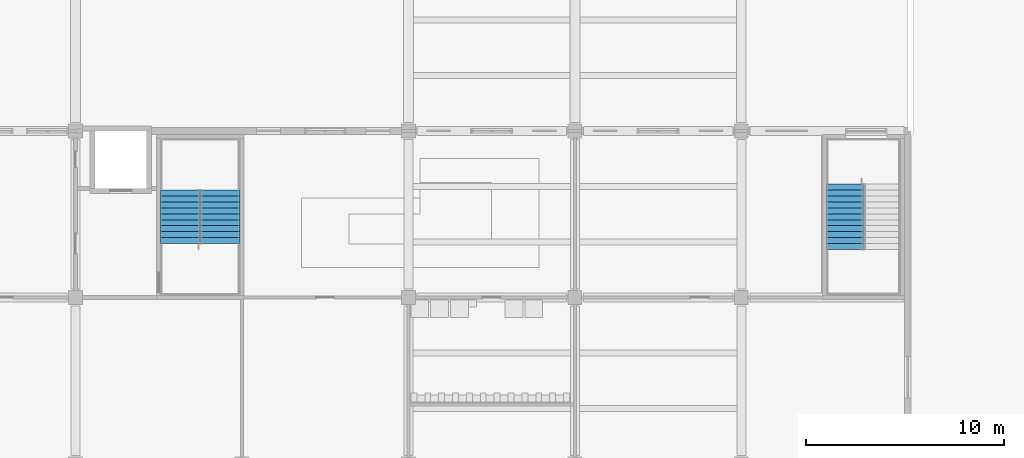
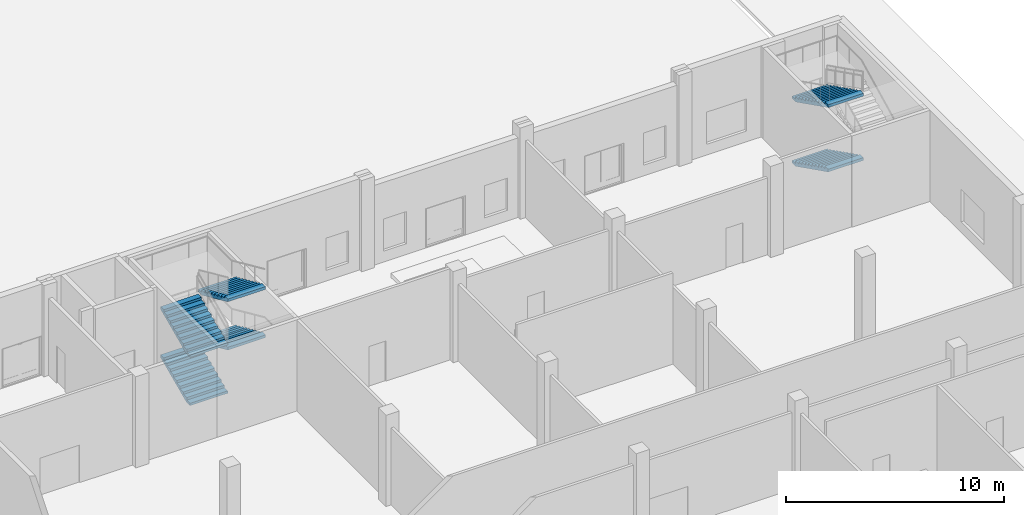
# One storey, part 57 of 74: 6 stair flights, 2 elements without a shape of their own.
"""IFC4 building model written with IfcOpenShell, lengths in metres."""

from ifc_helpers import new_model, si_unit, direction, frame, origin, place, context, subcontext, project, spatial, faceted_brep, material, type_object, element, aggregate, save


model = new_model("IFC4")

# Units and contexts
model_context = context("Model", 3, precision=1e-05, world=origin(), true_north=direction((0.0, 1.0)))
body_context = subcontext(model_context, "Body", "Model", "MODEL_VIEW")
ifc_project = project(units=[si_unit("LENGTHUNIT", "METRE"), si_unit("AREAUNIT", "SQUARE_METRE"), si_unit("VOLUMEUNIT", "CUBIC_METRE"), si_unit("PLANEANGLEUNIT", "RADIAN"), si_unit("MASSUNIT", "GRAM", prefix="KILO")], contexts=[model_context])

# Site, building, storey
site_placement = place(None, origin())
site = spatial("IfcSite", under=ifc_project, at=site_placement, CompositionType="ELEMENT")
building_placement = place(site_placement, origin())
building = spatial("IfcBuilding", under=site, at=building_placement, Name="Rulbaag Community and Learning Centre", CompositionType="ELEMENT")
storey_placement = place(building_placement, origin())
storey = spatial("IfcBuildingStorey", under=building, at=storey_placement, Name="L00", CompositionType="ELEMENT", Elevation=0.0)

# Stair, stair flights
ifc_material = material(Name="Concrete M40", Category="concrete")
stair_type_1 = type_object("IfcStairType", Name="ST-1862 STAIR 1862 WIDE", PredefinedType="HALF_TURN_STAIR", material=ifc_material)
stair_1_placement = place(storey_placement, origin())
stair_1 = element("IfcStair", 1, at=stair_1_placement, inside=storey, type_object=stair_type_1, Name="Stair ST-H4 L00", PredefinedType="HALF_TURN_STAIR")
stair_flight_type_1 = type_object("IfcStairFlightType", Name="FL-1862 FLIGHT 1862 WIDE Concrete M40", PredefinedType="STRAIGHT", material=ifc_material)
stair_flight_1_placement = place(storey_placement, frame((164.831298828125, 47.71240234375, 0.0), z_axis=(0.0, 0.0, 1.0), x_axis=(0.0, -1.0, 0.0)))
stair_flight_1 = element("IfcStairFlight", 2, at=stair_flight_1_placement, type_object=stair_flight_type_1, Name="ST-H4 flight 1", NumberOfRisers=12, NumberOfTreads=11, PredefinedType="STRAIGHT", RiserHeight=0.15, TreadLength=0.3, context=body_context, shape_type="Brep", body=[
    faceted_brep([(0.312744140625, -0.93115234375, 0.0), (3.300048828125, -0.93115234375, 1.49365234375), (3.300048828125, -0.93115234375, 1.64990234375), (3.0, -0.93115234375, 1.64990234375), (3.0, -0.93115234375, 1.5), (2.699951171875, -0.93115234375, 1.5), (2.699951171875, -0.93115234375, 1.35009765625), (2.39990234375, -0.93115234375, 1.35009765625), (2.39990234375, -0.93115234375, 1.199951171875), (2.10009765625, -0.93115234375, 1.199951171875), (2.10009765625, -0.93115234375, 1.050048828125), (1.800048828125, -0.93115234375, 1.050048828125), (1.800048828125, -0.93115234375, 0.89990234375), (1.5, -0.93115234375, 0.89990234375), (1.5, -0.93115234375, 0.75), (1.199951171875, -0.93115234375, 0.75), (1.199951171875, -0.93115234375, 0.60009765625), (0.89990234375, -0.93115234375, 0.60009765625), (0.89990234375, -0.93115234375, 0.449951171875), (0.60009765625, -0.93115234375, 0.449951171875), (0.60009765625, -0.93115234375, 0.300048828125), (0.300048828125, -0.93115234375, 0.300048828125), (0.300048828125, -0.93115234375, 0.14990234375), (0.0, -0.93115234375, 0.14990234375), (0.0, -0.93115234375, 0.0), (0.0, 0.93115234375, 0.0), (0.0, 0.93115234375, 0.14990234375), (0.300048828125, 0.93115234375, 0.14990234375), (0.300048828125, 0.93115234375, 0.300048828125), (0.60009765625, 0.93115234375, 0.300048828125), (0.60009765625, 0.93115234375, 0.449951171875), (0.89990234375, 0.93115234375, 0.449951171875), (0.89990234375, 0.93115234375, 0.60009765625), (1.199951171875, 0.93115234375, 0.60009765625), (1.199951171875, 0.93115234375, 0.75), (1.5, 0.93115234375, 0.75), (1.5, 0.93115234375, 0.89990234375), (1.800048828125, 0.93115234375, 0.89990234375), (1.800048828125, 0.93115234375, 1.050048828125), (2.10009765625, 0.93115234375, 1.050048828125), (2.10009765625, 0.93115234375, 1.199951171875), (2.39990234375, 0.93115234375, 1.199951171875), (2.39990234375, 0.93115234375, 1.35009765625), (2.699951171875, 0.93115234375, 1.35009765625), (2.699951171875, 0.93115234375, 1.5), (3.0, 0.93115234375, 1.5), (3.0, 0.93115234375, 1.64990234375), (3.300048828125, 0.93115234375, 1.64990234375), (3.300048828125, 0.93115234375, 1.49365234375), (0.312744140625, 0.93115234375, 0.0), (0.0, 0.0, 0.14990234375), (0.0, 0.0, 0.0), (0.300048828125, 0.0, 0.14990234375), (0.300048828125, 0.0, 0.300048828125), (0.60009765625, 0.0, 0.300048828125), (0.60009765625, 0.0, 0.449951171875), (0.89990234375, 0.0, 0.449951171875), (0.89990234375, 0.0, 0.60009765625), (1.199951171875, 0.0, 0.60009765625), (1.199951171875, 0.0, 0.75), (1.5, 0.0, 0.75), (1.5, 0.0, 0.89990234375), (1.800048828125, 0.0, 0.89990234375), (1.800048828125, 0.0, 1.050048828125), (2.10009765625, 0.0, 1.050048828125), (2.10009765625, 0.0, 1.199951171875), (2.39990234375, 0.0, 1.199951171875), (2.39990234375, 0.0, 1.35009765625), (2.699951171875, 0.0, 1.35009765625), (2.699951171875, 0.0, 1.5), (3.0, 0.0, 1.5), (3.0, 0.0, 1.64990234375), (3.300048828125, 0.0, 1.64990234375), (3.300048828125, 0.0, 1.49365234375), (0.312744140625, 0.0, 0.0)], [[[0, 1, 2, 3, 4, 5, 6, 7, 8, 9, 10, 11, 12, 13, 14, 15, 16, 17, 18, 19, 20, 21, 22, 23, 24]], [[25, 26, 27, 28, 29, 30, 31, 32, 33, 34, 35, 36, 37, 38, 39, 40, 41, 42, 43, 44, 45, 46, 47, 48, 49]], [[24, 23, 50, 51]], [[51, 50, 26, 25]], [[23, 22, 52, 50]], [[50, 52, 27, 26]], [[22, 21, 53, 52]], [[52, 53, 28, 27]], [[21, 20, 54, 53]], [[53, 54, 29, 28]], [[20, 19, 55, 54]], [[54, 55, 30, 29]], [[19, 18, 56, 55]], [[55, 56, 31, 30]], [[18, 17, 57, 56]], [[56, 57, 32, 31]], [[17, 16, 58, 57]], [[57, 58, 33, 32]], [[16, 15, 59, 58]], [[58, 59, 34, 33]], [[15, 14, 60, 59]], [[59, 60, 35, 34]], [[14, 13, 61, 60]], [[60, 61, 36, 35]], [[13, 12, 62, 61]], [[61, 62, 37, 36]], [[12, 11, 63, 62]], [[62, 63, 38, 37]], [[11, 10, 64, 63]], [[63, 64, 39, 38]], [[10, 9, 65, 64]], [[64, 65, 40, 39]], [[9, 8, 66, 65]], [[65, 66, 41, 40]], [[8, 7, 67, 66]], [[66, 67, 42, 41]], [[7, 6, 68, 67]], [[67, 68, 43, 42]], [[6, 5, 69, 68]], [[68, 69, 44, 43]], [[5, 4, 70, 69]], [[69, 70, 45, 44]], [[4, 3, 71, 70]], [[70, 71, 46, 45]], [[3, 2, 72, 71]], [[71, 72, 47, 46]], [[2, 1, 73, 72]], [[72, 73, 48, 47]], [[1, 0, 74, 73]], [[73, 74, 49, 48]], [[0, 24, 51, 74]], [[74, 51, 25, 49]]]),
])
stair_flight_2_placement = place(storey_placement, frame((164.831298828125, 47.71240234375, 3.60009765625), z_axis=(0.0, 0.0, 1.0), x_axis=(0.0, -1.0, 0.0)))
stair_flight_2 = element("IfcStairFlight", 3, at=stair_flight_2_placement, type_object=stair_flight_type_1, Name="ST-H4 flight 3", NumberOfRisers=12, NumberOfTreads=11, PredefinedType="STRAIGHT", RiserHeight=0.15, TreadLength=0.3, context=body_context, shape_type="Brep", body=[
    faceted_brep([(0.312744140625, -0.93115234375, 0.0), (3.300048828125, -0.93115234375, 1.49365234375), (3.300048828125, -0.93115234375, 1.64990234375), (3.0, -0.93115234375, 1.64990234375), (3.0, -0.93115234375, 1.5), (2.699951171875, -0.93115234375, 1.5), (2.699951171875, -0.93115234375, 1.35009765625), (2.39990234375, -0.93115234375, 1.35009765625), (2.39990234375, -0.93115234375, 1.199951171875), (2.10009765625, -0.93115234375, 1.199951171875), (2.10009765625, -0.93115234375, 1.050048828125), (1.800048828125, -0.93115234375, 1.050048828125), (1.800048828125, -0.93115234375, 0.89990234375), (1.5, -0.93115234375, 0.89990234375), (1.5, -0.93115234375, 0.75), (1.199951171875, -0.93115234375, 0.75), (1.199951171875, -0.93115234375, 0.60009765625), (0.89990234375, -0.93115234375, 0.60009765625), (0.89990234375, -0.93115234375, 0.449951171875), (0.60009765625, -0.93115234375, 0.449951171875), (0.60009765625, -0.93115234375, 0.300048828125), (0.300048828125, -0.93115234375, 0.300048828125), (0.300048828125, -0.93115234375, 0.14990234375), (0.0, -0.93115234375, 0.14990234375), (0.0, -0.93115234375, 0.0), (0.0, 0.93115234375, 0.0), (0.0, 0.93115234375, 0.14990234375), (0.300048828125, 0.93115234375, 0.14990234375), (0.300048828125, 0.93115234375, 0.300048828125), (0.60009765625, 0.93115234375, 0.300048828125), (0.60009765625, 0.93115234375, 0.449951171875), (0.89990234375, 0.93115234375, 0.449951171875), (0.89990234375, 0.93115234375, 0.60009765625), (1.199951171875, 0.93115234375, 0.60009765625), (1.199951171875, 0.93115234375, 0.75), (1.5, 0.93115234375, 0.75), (1.5, 0.93115234375, 0.89990234375), (1.800048828125, 0.93115234375, 0.89990234375), (1.800048828125, 0.93115234375, 1.050048828125), (2.10009765625, 0.93115234375, 1.050048828125), (2.10009765625, 0.93115234375, 1.199951171875), (2.39990234375, 0.93115234375, 1.199951171875), (2.39990234375, 0.93115234375, 1.35009765625), (2.699951171875, 0.93115234375, 1.35009765625), (2.699951171875, 0.93115234375, 1.5), (3.0, 0.93115234375, 1.5), (3.0, 0.93115234375, 1.64990234375), (3.300048828125, 0.93115234375, 1.64990234375), (3.300048828125, 0.93115234375, 1.49365234375), (0.312744140625, 0.93115234375, 0.0), (0.0, 0.0, 0.14990234375), (0.0, 0.0, 0.0), (0.300048828125, 0.0, 0.14990234375), (0.300048828125, 0.0, 0.300048828125), (0.60009765625, 0.0, 0.300048828125), (0.60009765625, 0.0, 0.449951171875), (0.89990234375, 0.0, 0.449951171875), (0.89990234375, 0.0, 0.60009765625), (1.199951171875, 0.0, 0.60009765625), (1.199951171875, 0.0, 0.75), (1.5, 0.0, 0.75), (1.5, 0.0, 0.89990234375), (1.800048828125, 0.0, 0.89990234375), (1.800048828125, 0.0, 1.050048828125), (2.10009765625, 0.0, 1.050048828125), (2.10009765625, 0.0, 1.199951171875), (2.39990234375, 0.0, 1.199951171875), (2.39990234375, 0.0, 1.35009765625), (2.699951171875, 0.0, 1.35009765625), (2.699951171875, 0.0, 1.5), (3.0, 0.0, 1.5), (3.0, 0.0, 1.64990234375), (3.300048828125, 0.0, 1.64990234375), (3.300048828125, 0.0, 1.49365234375), (0.312744140625, 0.0, 0.0)], [[[0, 1, 2, 3, 4, 5, 6, 7, 8, 9, 10, 11, 12, 13, 14, 15, 16, 17, 18, 19, 20, 21, 22, 23, 24]], [[25, 26, 27, 28, 29, 30, 31, 32, 33, 34, 35, 36, 37, 38, 39, 40, 41, 42, 43, 44, 45, 46, 47, 48, 49]], [[24, 23, 50, 51]], [[51, 50, 26, 25]], [[23, 22, 52, 50]], [[50, 52, 27, 26]], [[22, 21, 53, 52]], [[52, 53, 28, 27]], [[21, 20, 54, 53]], [[53, 54, 29, 28]], [[20, 19, 55, 54]], [[54, 55, 30, 29]], [[19, 18, 56, 55]], [[55, 56, 31, 30]], [[18, 17, 57, 56]], [[56, 57, 32, 31]], [[17, 16, 58, 57]], [[57, 58, 33, 32]], [[16, 15, 59, 58]], [[58, 59, 34, 33]], [[15, 14, 60, 59]], [[59, 60, 35, 34]], [[14, 13, 61, 60]], [[60, 61, 36, 35]], [[13, 12, 62, 61]], [[61, 62, 37, 36]], [[12, 11, 63, 62]], [[62, 63, 38, 37]], [[11, 10, 64, 63]], [[63, 64, 39, 38]], [[10, 9, 65, 64]], [[64, 65, 40, 39]], [[9, 8, 66, 65]], [[65, 66, 41, 40]], [[8, 7, 67, 66]], [[66, 67, 42, 41]], [[7, 6, 68, 67]], [[67, 68, 43, 42]], [[6, 5, 69, 68]], [[68, 69, 44, 43]], [[5, 4, 70, 69]], [[69, 70, 45, 44]], [[4, 3, 71, 70]], [[70, 71, 46, 45]], [[3, 2, 72, 71]], [[71, 72, 47, 46]], [[2, 1, 73, 72]], [[72, 73, 48, 47]], [[1, 0, 74, 73]], [[73, 74, 49, 48]], [[0, 24, 51, 74]], [[74, 51, 25, 49]]]),
])
aggregate(stair_1, [stair_flight_1, stair_flight_2])

stair_type_2 = type_object("IfcStairType", Name="ST-2000 STAIR 2000 WIDE", PredefinedType="HALF_TURN_STAIR", material=ifc_material)
stair_2_placement = place(storey_placement, origin())
stair_2 = element("IfcStair", 4, at=stair_2_placement, inside=storey, type_object=stair_type_2, Name="Stair ST-H3 L00", PredefinedType="HALF_TURN_STAIR")
stair_flight_type_2 = type_object("IfcStairFlightType", Name="FL-2000 FLIGHT 2000 WIDE Concrete M40", PredefinedType="STRAIGHT", material=ifc_material)
stair_flight_3_placement = place(storey_placement, frame((131.300048828125, 44.71240234375, 0.0), z_axis=(0.0, 0.0, 1.0), x_axis=(0.0, 1.0, 0.0)))
stair_flight_3 = element("IfcStairFlight", 5, at=stair_flight_3_placement, type_object=stair_flight_type_2, Name="ST-H3 flight 1", NumberOfRisers=10, NumberOfTreads=9, PredefinedType="STRAIGHT", RiserHeight=0.135, TreadLength=0.3, context=body_context, shape_type="Brep", body=[
    faceted_brep([(0.3408203125, -1.0, 0.0), (2.699951171875, -1.0, 1.0615234375), (2.699951171875, -1.0, 1.215087890625), (2.39990234375, -1.0, 1.215087890625), (2.39990234375, -1.0, 1.080078125), (2.10009765625, -1.0, 1.080078125), (2.10009765625, -1.0, 0.945068359375), (1.800048828125, -1.0, 0.945068359375), (1.800048828125, -1.0, 0.81005859375), (1.5, -1.0, 0.81005859375), (1.5, -1.0, 0.675048828125), (1.199951171875, -1.0, 0.675048828125), (1.199951171875, -1.0, 0.5400390625), (0.89990234375, -1.0, 0.5400390625), (0.89990234375, -1.0, 0.405029296875), (0.60009765625, -1.0, 0.405029296875), (0.60009765625, -1.0, 0.27001953125), (0.300048828125, -1.0, 0.27001953125), (0.300048828125, -1.0, 0.135009765625), (0.0, -1.0, 0.135009765625), (0.0, -1.0, 0.0), (0.0, 1.0, 0.0), (0.0, 1.0, 0.135009765625), (0.300048828125, 1.0, 0.135009765625), (0.300048828125, 1.0, 0.27001953125), (0.60009765625, 1.0, 0.27001953125), (0.60009765625, 1.0, 0.405029296875), (0.89990234375, 1.0, 0.405029296875), (0.89990234375, 1.0, 0.5400390625), (1.199951171875, 1.0, 0.5400390625), (1.199951171875, 1.0, 0.675048828125), (1.5, 1.0, 0.675048828125), (1.5, 1.0, 0.81005859375), (1.800048828125, 1.0, 0.81005859375), (1.800048828125, 1.0, 0.945068359375), (2.10009765625, 1.0, 0.945068359375), (2.10009765625, 1.0, 1.080078125), (2.39990234375, 1.0, 1.080078125), (2.39990234375, 1.0, 1.215087890625), (2.699951171875, 1.0, 1.215087890625), (2.699951171875, 1.0, 1.0615234375), (0.3408203125, 1.0, 0.0), (0.0, -0.333251953125, 0.135009765625), (0.0, -0.333251953125, 0.0), (0.0, 0.333251953125, 0.135009765625), (0.0, 0.333251953125, 0.0), (0.300048828125, -0.333251953125, 0.135009765625), (0.300048828125, 0.333251953125, 0.135009765625), (0.300048828125, -0.333251953125, 0.27001953125), (0.300048828125, 0.333251953125, 0.27001953125), (0.60009765625, -0.333251953125, 0.27001953125), (0.60009765625, 0.333251953125, 0.27001953125), (0.60009765625, -0.333251953125, 0.405029296875), (0.60009765625, 0.333251953125, 0.405029296875), (0.89990234375, -0.333251953125, 0.405029296875), (0.89990234375, 0.333251953125, 0.405029296875), (0.89990234375, -0.333251953125, 0.5400390625), (0.89990234375, 0.333251953125, 0.5400390625), (1.199951171875, -0.333251953125, 0.5400390625), (1.199951171875, 0.333251953125, 0.5400390625), (1.199951171875, -0.333251953125, 0.675048828125), (1.199951171875, 0.333251953125, 0.675048828125), (1.5, -0.333251953125, 0.675048828125), (1.5, 0.333251953125, 0.675048828125), (1.5, -0.333251953125, 0.81005859375), (1.5, 0.333251953125, 0.81005859375), (1.800048828125, -0.333251953125, 0.81005859375), (1.800048828125, 0.333251953125, 0.81005859375), (1.800048828125, -0.333251953125, 0.945068359375), (1.800048828125, 0.333251953125, 0.945068359375), (2.10009765625, -0.333251953125, 0.945068359375), (2.10009765625, 0.333251953125, 0.945068359375), (2.10009765625, -0.333251953125, 1.080078125), (2.10009765625, 0.333251953125, 1.080078125), (2.39990234375, -0.333251953125, 1.080078125), (2.39990234375, 0.333251953125, 1.080078125), (2.39990234375, -0.333251953125, 1.215087890625), (2.39990234375, 0.333251953125, 1.215087890625), (2.699951171875, -0.333251953125, 1.215087890625), (2.699951171875, 0.333251953125, 1.215087890625), (2.699951171875, -0.333251953125, 1.0615234375), (2.699951171875, 0.333251953125, 1.0615234375), (0.3408203125, -0.333251953125, 0.0), (0.3408203125, 0.333251953125, 0.0)], [[[0, 1, 2, 3, 4, 5, 6, 7, 8, 9, 10, 11, 12, 13, 14, 15, 16, 17, 18, 19, 20]], [[21, 22, 23, 24, 25, 26, 27, 28, 29, 30, 31, 32, 33, 34, 35, 36, 37, 38, 39, 40, 41]], [[20, 19, 42, 43]], [[43, 42, 44, 45]], [[45, 44, 22, 21]], [[19, 18, 46, 42]], [[42, 46, 47, 44]], [[44, 47, 23, 22]], [[18, 17, 48, 46]], [[46, 48, 49, 47]], [[47, 49, 24, 23]], [[17, 16, 50, 48]], [[48, 50, 51, 49]], [[49, 51, 25, 24]], [[16, 15, 52, 50]], [[50, 52, 53, 51]], [[51, 53, 26, 25]], [[15, 14, 54, 52]], [[52, 54, 55, 53]], [[53, 55, 27, 26]], [[14, 13, 56, 54]], [[54, 56, 57, 55]], [[55, 57, 28, 27]], [[13, 12, 58, 56]], [[56, 58, 59, 57]], [[57, 59, 29, 28]], [[12, 11, 60, 58]], [[58, 60, 61, 59]], [[59, 61, 30, 29]], [[11, 10, 62, 60]], [[60, 62, 63, 61]], [[61, 63, 31, 30]], [[10, 9, 64, 62]], [[62, 64, 65, 63]], [[63, 65, 32, 31]], [[9, 8, 66, 64]], [[64, 66, 67, 65]], [[65, 67, 33, 32]], [[8, 7, 68, 66]], [[66, 68, 69, 67]], [[67, 69, 34, 33]], [[7, 6, 70, 68]], [[68, 70, 71, 69]], [[69, 71, 35, 34]], [[6, 5, 72, 70]], [[70, 72, 73, 71]], [[71, 73, 36, 35]], [[5, 4, 74, 72]], [[72, 74, 75, 73]], [[73, 75, 37, 36]], [[4, 3, 76, 74]], [[74, 76, 77, 75]], [[75, 77, 38, 37]], [[3, 2, 78, 76]], [[76, 78, 79, 77]], [[77, 79, 39, 38]], [[2, 1, 80, 78]], [[78, 80, 81, 79]], [[79, 81, 40, 39]], [[1, 0, 82, 80]], [[80, 82, 83, 81]], [[81, 83, 41, 40]], [[0, 20, 43, 82]], [[82, 43, 45, 83]], [[83, 45, 21, 41]]]),
])
stair_flight_4_placement = place(storey_placement, frame((133.300048828125, 47.41259765625, 1.35009765625), z_axis=(0.0, 0.0, 1.0), x_axis=(0.0, -1.0, 0.0)))
stair_flight_4 = element("IfcStairFlight", 6, at=stair_flight_4_placement, type_object=stair_flight_type_2, Name="ST-H3 flight 2", NumberOfRisers=10, NumberOfTreads=9, PredefinedType="STRAIGHT", RiserHeight=0.135, TreadLength=0.3, context=body_context, shape_type="Brep", body=[
    faceted_brep([(0.3408203125, -1.0, 0.0), (2.699951171875, -1.0, 1.0615234375), (2.699951171875, -1.0, 1.215087890625), (2.39990234375, -1.0, 1.215087890625), (2.39990234375, -1.0, 1.080078125), (2.10009765625, -1.0, 1.080078125), (2.10009765625, -1.0, 0.945068359375), (1.800048828125, -1.0, 0.945068359375), (1.800048828125, -1.0, 0.81005859375), (1.5, -1.0, 0.81005859375), (1.5, -1.0, 0.675048828125), (1.199951171875, -1.0, 0.675048828125), (1.199951171875, -1.0, 0.5400390625), (0.89990234375, -1.0, 0.5400390625), (0.89990234375, -1.0, 0.405029296875), (0.60009765625, -1.0, 0.405029296875), (0.60009765625, -1.0, 0.27001953125), (0.300048828125, -1.0, 0.27001953125), (0.300048828125, -1.0, 0.135009765625), (0.0, -1.0, 0.135009765625), (0.0, -1.0, 0.0), (0.0, 1.0, 0.0), (0.0, 1.0, 0.135009765625), (0.300048828125, 1.0, 0.135009765625), (0.300048828125, 1.0, 0.27001953125), (0.60009765625, 1.0, 0.27001953125), (0.60009765625, 1.0, 0.405029296875), (0.89990234375, 1.0, 0.405029296875), (0.89990234375, 1.0, 0.5400390625), (1.199951171875, 1.0, 0.5400390625), (1.199951171875, 1.0, 0.675048828125), (1.5, 1.0, 0.675048828125), (1.5, 1.0, 0.81005859375), (1.800048828125, 1.0, 0.81005859375), (1.800048828125, 1.0, 0.945068359375), (2.10009765625, 1.0, 0.945068359375), (2.10009765625, 1.0, 1.080078125), (2.39990234375, 1.0, 1.080078125), (2.39990234375, 1.0, 1.215087890625), (2.699951171875, 1.0, 1.215087890625), (2.699951171875, 1.0, 1.0615234375), (0.3408203125, 1.0, 0.0), (0.0, -0.333251953125, 0.135009765625), (0.0, -0.333251953125, 0.0), (0.0, 0.333251953125, 0.135009765625), (0.0, 0.333251953125, 0.0), (0.300048828125, -0.333251953125, 0.135009765625), (0.300048828125, 0.333251953125, 0.135009765625), (0.300048828125, -0.333251953125, 0.27001953125), (0.300048828125, 0.333251953125, 0.27001953125), (0.60009765625, -0.333251953125, 0.27001953125), (0.60009765625, 0.333251953125, 0.27001953125), (0.60009765625, -0.333251953125, 0.405029296875), (0.60009765625, 0.333251953125, 0.405029296875), (0.89990234375, -0.333251953125, 0.405029296875), (0.89990234375, 0.333251953125, 0.405029296875), (0.89990234375, -0.333251953125, 0.5400390625), (0.89990234375, 0.333251953125, 0.5400390625), (1.199951171875, -0.333251953125, 0.5400390625), (1.199951171875, 0.333251953125, 0.5400390625), (1.199951171875, -0.333251953125, 0.675048828125), (1.199951171875, 0.333251953125, 0.675048828125), (1.5, -0.333251953125, 0.675048828125), (1.5, 0.333251953125, 0.675048828125), (1.5, -0.333251953125, 0.81005859375), (1.5, 0.333251953125, 0.81005859375), (1.800048828125, -0.333251953125, 0.81005859375), (1.800048828125, 0.333251953125, 0.81005859375), (1.800048828125, -0.333251953125, 0.945068359375), (1.800048828125, 0.333251953125, 0.945068359375), (2.10009765625, -0.333251953125, 0.945068359375), (2.10009765625, 0.333251953125, 0.945068359375), (2.10009765625, -0.333251953125, 1.080078125), (2.10009765625, 0.333251953125, 1.080078125), (2.39990234375, -0.333251953125, 1.080078125), (2.39990234375, 0.333251953125, 1.080078125), (2.39990234375, -0.333251953125, 1.215087890625), (2.39990234375, 0.333251953125, 1.215087890625), (2.699951171875, -0.333251953125, 1.215087890625), (2.699951171875, 0.333251953125, 1.215087890625), (2.699951171875, -0.333251953125, 1.0615234375), (2.699951171875, 0.333251953125, 1.0615234375), (0.3408203125, -0.333251953125, 0.0), (0.3408203125, 0.333251953125, 0.0)], [[[0, 1, 2, 3, 4, 5, 6, 7, 8, 9, 10, 11, 12, 13, 14, 15, 16, 17, 18, 19, 20]], [[21, 22, 23, 24, 25, 26, 27, 28, 29, 30, 31, 32, 33, 34, 35, 36, 37, 38, 39, 40, 41]], [[20, 19, 42, 43]], [[43, 42, 44, 45]], [[45, 44, 22, 21]], [[19, 18, 46, 42]], [[42, 46, 47, 44]], [[44, 47, 23, 22]], [[18, 17, 48, 46]], [[46, 48, 49, 47]], [[47, 49, 24, 23]], [[17, 16, 50, 48]], [[48, 50, 51, 49]], [[49, 51, 25, 24]], [[16, 15, 52, 50]], [[50, 52, 53, 51]], [[51, 53, 26, 25]], [[15, 14, 54, 52]], [[52, 54, 55, 53]], [[53, 55, 27, 26]], [[14, 13, 56, 54]], [[54, 56, 57, 55]], [[55, 57, 28, 27]], [[13, 12, 58, 56]], [[56, 58, 59, 57]], [[57, 59, 29, 28]], [[12, 11, 60, 58]], [[58, 60, 61, 59]], [[59, 61, 30, 29]], [[11, 10, 62, 60]], [[60, 62, 63, 61]], [[61, 63, 31, 30]], [[10, 9, 64, 62]], [[62, 64, 65, 63]], [[63, 65, 32, 31]], [[9, 8, 66, 64]], [[64, 66, 67, 65]], [[65, 67, 33, 32]], [[8, 7, 68, 66]], [[66, 68, 69, 67]], [[67, 69, 34, 33]], [[7, 6, 70, 68]], [[68, 70, 71, 69]], [[69, 71, 35, 34]], [[6, 5, 72, 70]], [[70, 72, 73, 71]], [[71, 73, 36, 35]], [[5, 4, 74, 72]], [[72, 74, 75, 73]], [[73, 75, 37, 36]], [[4, 3, 76, 74]], [[74, 76, 77, 75]], [[75, 77, 38, 37]], [[3, 2, 78, 76]], [[76, 78, 79, 77]], [[77, 79, 39, 38]], [[2, 1, 80, 78]], [[78, 80, 81, 79]], [[79, 81, 40, 39]], [[1, 0, 82, 80]], [[80, 82, 83, 81]], [[81, 83, 41, 40]], [[0, 20, 43, 82]], [[82, 43, 45, 83]], [[83, 45, 21, 41]]]),
])
stair_flight_5_placement = place(storey_placement, frame((131.300048828125, 44.71240234375, 2.699951171875), z_axis=(0.0, 0.0, 1.0), x_axis=(0.0, 1.0, 0.0)))
stair_flight_5 = element("IfcStairFlight", 7, at=stair_flight_5_placement, type_object=stair_flight_type_2, Name="ST-H3 flight 3", NumberOfRisers=10, NumberOfTreads=9, PredefinedType="STRAIGHT", RiserHeight=0.135, TreadLength=0.3, context=body_context, shape_type="Brep", body=[
    faceted_brep([(0.3408203125, -1.0, 0.0), (2.699951171875, -1.0, 1.0615234375), (2.699951171875, -1.0, 1.215087890625), (2.39990234375, -1.0, 1.215087890625), (2.39990234375, -1.0, 1.080078125), (2.10009765625, -1.0, 1.080078125), (2.10009765625, -1.0, 0.945068359375), (1.800048828125, -1.0, 0.945068359375), (1.800048828125, -1.0, 0.81005859375), (1.5, -1.0, 0.81005859375), (1.5, -1.0, 0.675048828125), (1.199951171875, -1.0, 0.675048828125), (1.199951171875, -1.0, 0.5400390625), (0.89990234375, -1.0, 0.5400390625), (0.89990234375, -1.0, 0.405029296875), (0.60009765625, -1.0, 0.405029296875), (0.60009765625, -1.0, 0.27001953125), (0.300048828125, -1.0, 0.27001953125), (0.300048828125, -1.0, 0.135009765625), (0.0, -1.0, 0.135009765625), (0.0, -1.0, 0.0), (0.0, 1.0, 0.0), (0.0, 1.0, 0.135009765625), (0.300048828125, 1.0, 0.135009765625), (0.300048828125, 1.0, 0.27001953125), (0.60009765625, 1.0, 0.27001953125), (0.60009765625, 1.0, 0.405029296875), (0.89990234375, 1.0, 0.405029296875), (0.89990234375, 1.0, 0.5400390625), (1.199951171875, 1.0, 0.5400390625), (1.199951171875, 1.0, 0.675048828125), (1.5, 1.0, 0.675048828125), (1.5, 1.0, 0.81005859375), (1.800048828125, 1.0, 0.81005859375), (1.800048828125, 1.0, 0.945068359375), (2.10009765625, 1.0, 0.945068359375), (2.10009765625, 1.0, 1.080078125), (2.39990234375, 1.0, 1.080078125), (2.39990234375, 1.0, 1.215087890625), (2.699951171875, 1.0, 1.215087890625), (2.699951171875, 1.0, 1.0615234375), (0.3408203125, 1.0, 0.0), (0.0, -0.333251953125, 0.135009765625), (0.0, -0.333251953125, 0.0), (0.0, 0.333251953125, 0.135009765625), (0.0, 0.333251953125, 0.0), (0.300048828125, -0.333251953125, 0.135009765625), (0.300048828125, 0.333251953125, 0.135009765625), (0.300048828125, -0.333251953125, 0.27001953125), (0.300048828125, 0.333251953125, 0.27001953125), (0.60009765625, -0.333251953125, 0.27001953125), (0.60009765625, 0.333251953125, 0.27001953125), (0.60009765625, -0.333251953125, 0.405029296875), (0.60009765625, 0.333251953125, 0.405029296875), (0.89990234375, -0.333251953125, 0.405029296875), (0.89990234375, 0.333251953125, 0.405029296875), (0.89990234375, -0.333251953125, 0.5400390625), (0.89990234375, 0.333251953125, 0.5400390625), (1.199951171875, -0.333251953125, 0.5400390625), (1.199951171875, 0.333251953125, 0.5400390625), (1.199951171875, -0.333251953125, 0.675048828125), (1.199951171875, 0.333251953125, 0.675048828125), (1.5, -0.333251953125, 0.675048828125), (1.5, 0.333251953125, 0.675048828125), (1.5, -0.333251953125, 0.81005859375), (1.5, 0.333251953125, 0.81005859375), (1.800048828125, -0.333251953125, 0.81005859375), (1.800048828125, 0.333251953125, 0.81005859375), (1.800048828125, -0.333251953125, 0.945068359375), (1.800048828125, 0.333251953125, 0.945068359375), (2.10009765625, -0.333251953125, 0.945068359375), (2.10009765625, 0.333251953125, 0.945068359375), (2.10009765625, -0.333251953125, 1.080078125), (2.10009765625, 0.333251953125, 1.080078125), (2.39990234375, -0.333251953125, 1.080078125), (2.39990234375, 0.333251953125, 1.080078125), (2.39990234375, -0.333251953125, 1.215087890625), (2.39990234375, 0.333251953125, 1.215087890625), (2.699951171875, -0.333251953125, 1.215087890625), (2.699951171875, 0.333251953125, 1.215087890625), (2.699951171875, -0.333251953125, 1.0615234375), (2.699951171875, 0.333251953125, 1.0615234375), (0.3408203125, -0.333251953125, 0.0), (0.3408203125, 0.333251953125, 0.0)], [[[0, 1, 2, 3, 4, 5, 6, 7, 8, 9, 10, 11, 12, 13, 14, 15, 16, 17, 18, 19, 20]], [[21, 22, 23, 24, 25, 26, 27, 28, 29, 30, 31, 32, 33, 34, 35, 36, 37, 38, 39, 40, 41]], [[20, 19, 42, 43]], [[43, 42, 44, 45]], [[45, 44, 22, 21]], [[19, 18, 46, 42]], [[42, 46, 47, 44]], [[44, 47, 23, 22]], [[18, 17, 48, 46]], [[46, 48, 49, 47]], [[47, 49, 24, 23]], [[17, 16, 50, 48]], [[48, 50, 51, 49]], [[49, 51, 25, 24]], [[16, 15, 52, 50]], [[50, 52, 53, 51]], [[51, 53, 26, 25]], [[15, 14, 54, 52]], [[52, 54, 55, 53]], [[53, 55, 27, 26]], [[14, 13, 56, 54]], [[54, 56, 57, 55]], [[55, 57, 28, 27]], [[13, 12, 58, 56]], [[56, 58, 59, 57]], [[57, 59, 29, 28]], [[12, 11, 60, 58]], [[58, 60, 61, 59]], [[59, 61, 30, 29]], [[11, 10, 62, 60]], [[60, 62, 63, 61]], [[61, 63, 31, 30]], [[10, 9, 64, 62]], [[62, 64, 65, 63]], [[63, 65, 32, 31]], [[9, 8, 66, 64]], [[64, 66, 67, 65]], [[65, 67, 33, 32]], [[8, 7, 68, 66]], [[66, 68, 69, 67]], [[67, 69, 34, 33]], [[7, 6, 70, 68]], [[68, 70, 71, 69]], [[69, 71, 35, 34]], [[6, 5, 72, 70]], [[70, 72, 73, 71]], [[71, 73, 36, 35]], [[5, 4, 74, 72]], [[72, 74, 75, 73]], [[73, 75, 37, 36]], [[4, 3, 76, 74]], [[74, 76, 77, 75]], [[75, 77, 38, 37]], [[3, 2, 78, 76]], [[76, 78, 79, 77]], [[77, 79, 39, 38]], [[2, 1, 80, 78]], [[78, 80, 81, 79]], [[79, 81, 40, 39]], [[1, 0, 82, 80]], [[80, 82, 83, 81]], [[81, 83, 41, 40]], [[0, 20, 43, 82]], [[82, 43, 45, 83]], [[83, 45, 21, 41]]]),
])
stair_flight_6_placement = place(storey_placement, frame((133.300048828125, 47.41259765625, 4.050048828125), z_axis=(0.0, 0.0, 1.0), x_axis=(0.0, -1.0, 0.0)))
stair_flight_6 = element("IfcStairFlight", 8, at=stair_flight_6_placement, type_object=stair_flight_type_2, Name="ST-H3 flight 4", NumberOfRisers=10, NumberOfTreads=9, PredefinedType="STRAIGHT", RiserHeight=0.135, TreadLength=0.3, context=body_context, shape_type="Brep", body=[
    faceted_brep([(0.3408203125, -1.0, 0.0), (2.699951171875, -1.0, 1.0615234375), (2.699951171875, -1.0, 1.215087890625), (2.39990234375, -1.0, 1.215087890625), (2.39990234375, -1.0, 1.080078125), (2.10009765625, -1.0, 1.080078125), (2.10009765625, -1.0, 0.945068359375), (1.800048828125, -1.0, 0.945068359375), (1.800048828125, -1.0, 0.81005859375), (1.5, -1.0, 0.81005859375), (1.5, -1.0, 0.675048828125), (1.199951171875, -1.0, 0.675048828125), (1.199951171875, -1.0, 0.5400390625), (0.89990234375, -1.0, 0.5400390625), (0.89990234375, -1.0, 0.405029296875), (0.60009765625, -1.0, 0.405029296875), (0.60009765625, -1.0, 0.27001953125), (0.300048828125, -1.0, 0.27001953125), (0.300048828125, -1.0, 0.135009765625), (0.0, -1.0, 0.135009765625), (0.0, -1.0, 0.0), (0.0, 1.0, 0.0), (0.0, 1.0, 0.135009765625), (0.300048828125, 1.0, 0.135009765625), (0.300048828125, 1.0, 0.27001953125), (0.60009765625, 1.0, 0.27001953125), (0.60009765625, 1.0, 0.405029296875), (0.89990234375, 1.0, 0.405029296875), (0.89990234375, 1.0, 0.5400390625), (1.199951171875, 1.0, 0.5400390625), (1.199951171875, 1.0, 0.675048828125), (1.5, 1.0, 0.675048828125), (1.5, 1.0, 0.81005859375), (1.800048828125, 1.0, 0.81005859375), (1.800048828125, 1.0, 0.945068359375), (2.10009765625, 1.0, 0.945068359375), (2.10009765625, 1.0, 1.080078125), (2.39990234375, 1.0, 1.080078125), (2.39990234375, 1.0, 1.215087890625), (2.699951171875, 1.0, 1.215087890625), (2.699951171875, 1.0, 1.0615234375), (0.3408203125, 1.0, 0.0), (0.0, -0.333251953125, 0.135009765625), (0.0, -0.333251953125, 0.0), (0.0, 0.333251953125, 0.135009765625), (0.0, 0.333251953125, 0.0), (0.300048828125, -0.333251953125, 0.135009765625), (0.300048828125, 0.333251953125, 0.135009765625), (0.300048828125, -0.333251953125, 0.27001953125), (0.300048828125, 0.333251953125, 0.27001953125), (0.60009765625, -0.333251953125, 0.27001953125), (0.60009765625, 0.333251953125, 0.27001953125), (0.60009765625, -0.333251953125, 0.405029296875), (0.60009765625, 0.333251953125, 0.405029296875), (0.89990234375, -0.333251953125, 0.405029296875), (0.89990234375, 0.333251953125, 0.405029296875), (0.89990234375, -0.333251953125, 0.5400390625), (0.89990234375, 0.333251953125, 0.5400390625), (1.199951171875, -0.333251953125, 0.5400390625), (1.199951171875, 0.333251953125, 0.5400390625), (1.199951171875, -0.333251953125, 0.675048828125), (1.199951171875, 0.333251953125, 0.675048828125), (1.5, -0.333251953125, 0.675048828125), (1.5, 0.333251953125, 0.675048828125), (1.5, -0.333251953125, 0.81005859375), (1.5, 0.333251953125, 0.81005859375), (1.800048828125, -0.333251953125, 0.81005859375), (1.800048828125, 0.333251953125, 0.81005859375), (1.800048828125, -0.333251953125, 0.945068359375), (1.800048828125, 0.333251953125, 0.945068359375), (2.10009765625, -0.333251953125, 0.945068359375), (2.10009765625, 0.333251953125, 0.945068359375), (2.10009765625, -0.333251953125, 1.080078125), (2.10009765625, 0.333251953125, 1.080078125), (2.39990234375, -0.333251953125, 1.080078125), (2.39990234375, 0.333251953125, 1.080078125), (2.39990234375, -0.333251953125, 1.215087890625), (2.39990234375, 0.333251953125, 1.215087890625), (2.699951171875, -0.333251953125, 1.215087890625), (2.699951171875, 0.333251953125, 1.215087890625), (2.699951171875, -0.333251953125, 1.0615234375), (2.699951171875, 0.333251953125, 1.0615234375), (0.3408203125, -0.333251953125, 0.0), (0.3408203125, 0.333251953125, 0.0)], [[[0, 1, 2, 3, 4, 5, 6, 7, 8, 9, 10, 11, 12, 13, 14, 15, 16, 17, 18, 19, 20]], [[21, 22, 23, 24, 25, 26, 27, 28, 29, 30, 31, 32, 33, 34, 35, 36, 37, 38, 39, 40, 41]], [[20, 19, 42, 43]], [[43, 42, 44, 45]], [[45, 44, 22, 21]], [[19, 18, 46, 42]], [[42, 46, 47, 44]], [[44, 47, 23, 22]], [[18, 17, 48, 46]], [[46, 48, 49, 47]], [[47, 49, 24, 23]], [[17, 16, 50, 48]], [[48, 50, 51, 49]], [[49, 51, 25, 24]], [[16, 15, 52, 50]], [[50, 52, 53, 51]], [[51, 53, 26, 25]], [[15, 14, 54, 52]], [[52, 54, 55, 53]], [[53, 55, 27, 26]], [[14, 13, 56, 54]], [[54, 56, 57, 55]], [[55, 57, 28, 27]], [[13, 12, 58, 56]], [[56, 58, 59, 57]], [[57, 59, 29, 28]], [[12, 11, 60, 58]], [[58, 60, 61, 59]], [[59, 61, 30, 29]], [[11, 10, 62, 60]], [[60, 62, 63, 61]], [[61, 63, 31, 30]], [[10, 9, 64, 62]], [[62, 64, 65, 63]], [[63, 65, 32, 31]], [[9, 8, 66, 64]], [[64, 66, 67, 65]], [[65, 67, 33, 32]], [[8, 7, 68, 66]], [[66, 68, 69, 67]], [[67, 69, 34, 33]], [[7, 6, 70, 68]], [[68, 70, 71, 69]], [[69, 71, 35, 34]], [[6, 5, 72, 70]], [[70, 72, 73, 71]], [[71, 73, 36, 35]], [[5, 4, 74, 72]], [[72, 74, 75, 73]], [[73, 75, 37, 36]], [[4, 3, 76, 74]], [[74, 76, 77, 75]], [[75, 77, 38, 37]], [[3, 2, 78, 76]], [[76, 78, 79, 77]], [[77, 79, 39, 38]], [[2, 1, 80, 78]], [[78, 80, 81, 79]], [[79, 81, 40, 39]], [[1, 0, 82, 80]], [[80, 82, 83, 81]], [[81, 83, 41, 40]], [[0, 20, 43, 82]], [[82, 43, 45, 83]], [[83, 45, 21, 41]]]),
])
aggregate(stair_2, [stair_flight_3, stair_flight_4, stair_flight_5, stair_flight_6])

save(model, "model.ifc")
